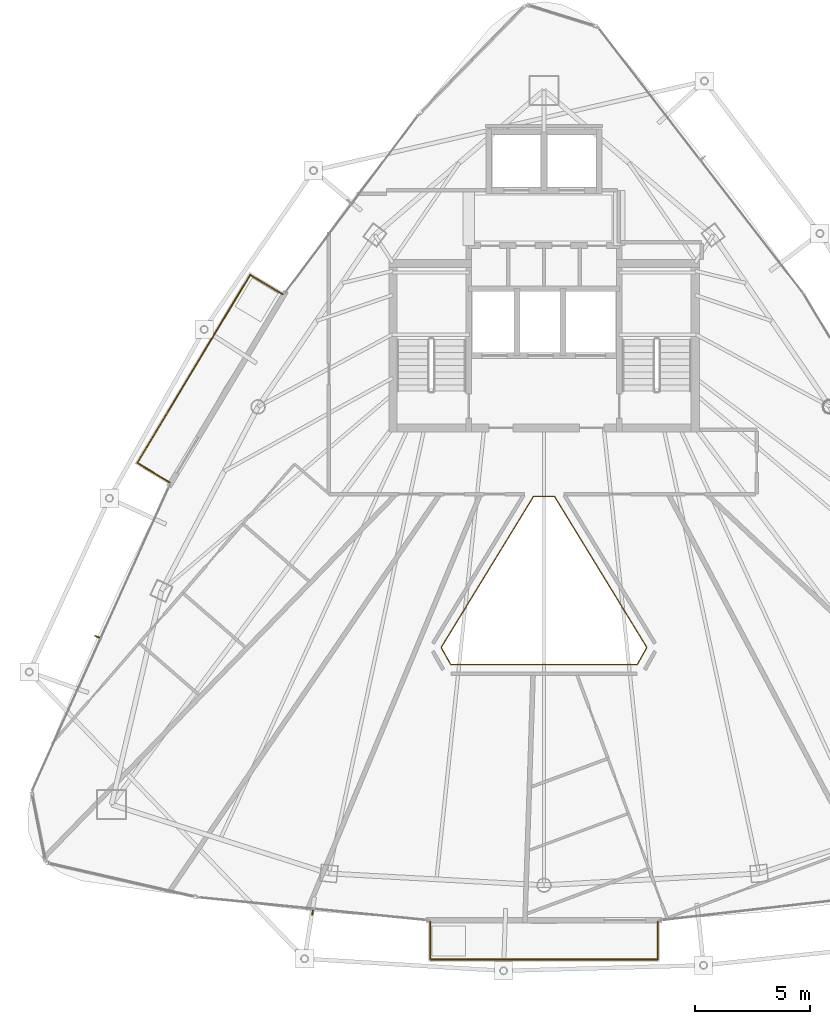
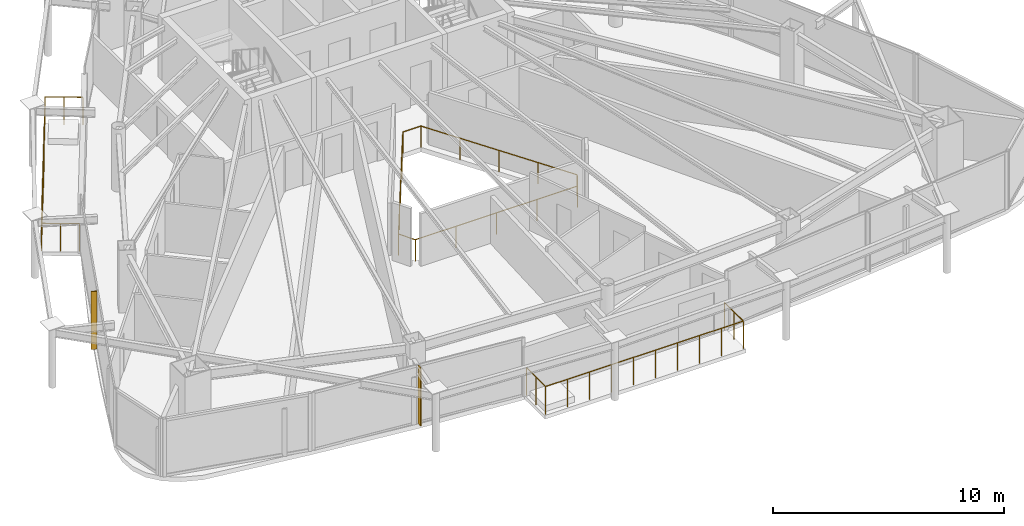
# One storey, part 28 of 29: 3 railings, 2 shading devices.
"""IFC4 building model written with IfcOpenShell, lengths in metres."""

from ifc_helpers import new_model, si_unit, direction, frame, origin, origin_2d, place, context, subcontext, project, spatial, rectangle, circle, extrude, material, layer, layer_set, type_object, element, save


model = new_model("IFC4")

# Units and contexts
model_context = context("Model", 3, precision=1e-05, world=origin(), true_north=direction((0.0, 1.0)))
body_context = subcontext(model_context, "Body", "Model", "MODEL_VIEW")
ifc_project = project(units=[si_unit("LENGTHUNIT", "METRE"), si_unit("AREAUNIT", "SQUARE_METRE"), si_unit("VOLUMEUNIT", "CUBIC_METRE"), si_unit("PLANEANGLEUNIT", "RADIAN"), si_unit("MASSUNIT", "GRAM", prefix="KILO")], contexts=[model_context])

# Site, building, storey
site_placement = place(None, origin())
site = spatial("IfcSite", under=ifc_project, at=site_placement, CompositionType="ELEMENT")
building_placement = place(site_placement, origin())
building = spatial("IfcBuilding", under=site, at=building_placement, Name="Orvanel Arch Residences", CompositionType="ELEMENT")
storey_placement = place(building_placement, frame((0.0, 0.0, 246.949951171875)))
storey = spatial("IfcBuildingStorey", under=building, at=storey_placement, Name="L70", CompositionType="ELEMENT", Elevation=246.949951171875)

# Shading devices
ifc_material = material(Name="Bronze-anodised aluminium AA6063-T6", Category="aluminium")
ifc_layer = layer(ifc_material, 0.050048828125)
ifc_layer_set = layer_set([ifc_layer], Name="Bronze-anodised aluminium AA6063-T6")
shading_device_type = type_object("IfcShadingDeviceType", Name="FIN-BRZ-260", PredefinedType="USERDEFINED", material=ifc_layer_set)
for number, where, z_axis, x_axis, name in (
    (1, (13.5869140625, 17.64208984375, 0.0), (0.0, 0.0, 1.0), (-0.912120116172, 0.409923033842, 0.0), "L70 Anodised Bronze Mullion FIN 01"),
    (2, (22.93994140625, 5.6640625, 0.0), (0.0, 0.0, 1.0), (-0.099319749744, -0.995055569961, 0.0), "L70 Anodised Bronze Mullion FIN 01"),
):
    element("IfcShadingDevice", number, at=place(storey_placement, frame(where, z_axis=z_axis, x_axis=x_axis)), inside=storey, type_object=shading_device_type, Name=name, ObjectType="FIN", PredefinedType="USERDEFINED", context=body_context, shape_type="SweptSolid", body=[
        extrude(rectangle(XDim=0.260009765625, YDim=0.050048828125, at=origin_2d()), origin(), (0.0, 0.0, 1.0), 3.06005859375),
    ])

# Railings
railing_type_1 = type_object("IfcRailingType", Name="RL-ATR-1150", PredefinedType="BALUSTRADE", material=ifc_material)
railing_1_placement = place(storey_placement, frame((33.452880859375, 23.7470703125, 0.0)))
element("IfcRailing", 3, at=railing_1_placement, inside=storey, type_object=railing_type_1, Name="L70 Atrium Void Protective Balustrade", PredefinedType="BALUSTRADE", context=body_context, shape_type="SweptSolid", body=[
    extrude(circle(Radius=0.02392578125, at=origin_2d()), frame((-0.00146484375, 0.0, 1.1259765625), z_axis=(-1.0, 0.0, 0.0), x_axis=(0.0, -1.0, 0.0)), (0.0, 0.0, 1.0), 0.90283203125),
    extrude(circle(Radius=0.02392578125, at=origin_2d()), frame((-0.906494140625, -0.001220703125, 1.1259765625), z_axis=(-0.521628329613, -0.853172834627, 0.0), x_axis=(0.853172834627, -0.521628329613, 0.0)), (0.0, 0.0, 1.0), 7.6943359375),
    extrude(circle(Radius=0.02392578125, at=origin_2d()), frame((-4.920166015625, -6.568359375, 1.1259765625), z_axis=(0.489565416471, -0.871966572178, 0.0), x_axis=(0.871966572178, 0.489565416471, 0.0)), (0.0, 0.0, 1.0), 0.8466796875),
    extrude(circle(Radius=0.02392578125, at=origin_2d()), frame((-4.50341796875, -7.30810546875, 1.1259765625), z_axis=(1.0, 0.0, 0.0), x_axis=(0.0, 1.0, 0.0)), (0.0, 0.0, 1.0), 8.10107421875),
    extrude(circle(Radius=0.02392578125, at=origin_2d()), frame((3.599853515625, -7.306884765625, 1.1259765625), z_axis=(0.489565416471, 0.871966572178, 0.0), x_axis=(-0.871966572178, 0.489565416471, 0.0)), (0.0, 0.0, 1.0), 0.8466796875),
    extrude(circle(Radius=0.02392578125, at=origin_2d()), frame((4.014404296875, -6.56591796875, 1.1259765625), z_axis=(-0.521628329613, 0.853172834627, 0.0), x_axis=(-0.853172834627, -0.521628329613, 0.0)), (0.0, 0.0, 1.0), 7.6943359375),
    extrude(circle(Radius=0.02099609375, at=origin_2d()), origin(), (0.0, 0.0, 1.0), 1.099853515625),
    extrude(circle(Radius=0.02099609375, at=origin_2d()), frame((-0.90576171875, 0.0, 0.0)), (0.0, 0.0, 1.0), 1.099853515625),
    extrude(circle(Radius=0.02099609375, at=origin_2d()), frame((-1.90966796875, -1.641845703125, 0.0)), (0.0, 0.0, 1.0), 1.099853515625),
    extrude(circle(Radius=0.02099609375, at=origin_2d()), frame((-2.913330078125, -3.28369140625, 0.0)), (0.0, 0.0, 1.0), 1.099853515625),
    extrude(circle(Radius=0.02099609375, at=origin_2d()), frame((-3.9169921875, -4.92529296875, 0.0)), (0.0, 0.0, 1.0), 1.099853515625),
    extrude(circle(Radius=0.02099609375, at=origin_2d()), frame((-4.9208984375, -6.567138671875, 0.0)), (0.0, 0.0, 1.0), 1.099853515625),
    extrude(circle(Radius=0.02099609375, at=origin_2d()), frame((-4.5048828125, -7.30810546875, 0.0)), (0.0, 0.0, 1.0), 1.099853515625),
    extrude(circle(Radius=0.02099609375, at=origin_2d()), frame((-2.47900390625, -7.30810546875, 0.0)), (0.0, 0.0, 1.0), 1.099853515625),
    extrude(circle(Radius=0.02099609375, at=origin_2d()), frame((-0.452880859375, -7.30810546875, 0.0)), (0.0, 0.0, 1.0), 1.099853515625),
    extrude(circle(Radius=0.02099609375, at=origin_2d()), frame((1.5732421875, -7.30810546875, 0.0)), (0.0, 0.0, 1.0), 1.099853515625),
    extrude(circle(Radius=0.02099609375, at=origin_2d()), frame((3.59912109375, -7.30810546875, 0.0)), (0.0, 0.0, 1.0), 1.099853515625),
    extrude(circle(Radius=0.02099609375, at=origin_2d()), frame((4.01513671875, -6.567138671875, 0.0)), (0.0, 0.0, 1.0), 1.099853515625),
    extrude(circle(Radius=0.02099609375, at=origin_2d()), frame((3.01123046875, -4.92529296875, 0.0)), (0.0, 0.0, 1.0), 1.099853515625),
    extrude(circle(Radius=0.02099609375, at=origin_2d()), frame((2.007568359375, -3.28369140625, 0.0)), (0.0, 0.0, 1.0), 1.099853515625),
    extrude(circle(Radius=0.02099609375, at=origin_2d()), frame((1.00390625, -1.641845703125, 0.0)), (0.0, 0.0, 1.0), 1.099853515625),
])
railing_type_2 = type_object("IfcRailingType", Name="RL-BAL-1480", PredefinedType="BALUSTRADE", material=ifc_material)
railing_2_placement = place(storey_placement, frame((21.632080078125, 32.5380859375, 0.0)))
element("IfcRailing", 4, at=railing_2_placement, inside=storey, type_object=railing_type_2, Name="L70 Balcony Perimeter Guardrail Face 1", PredefinedType="BALUSTRADE", context=body_context, shape_type="SweptSolid", body=[
    extrude(circle(Radius=0.02392578125, at=origin_2d()), frame((-0.001220703125, 0.000732421875, 1.4560546875), z_axis=(-0.857387817543, 0.514670895164, 0.0), x_axis=(-0.514670895164, -0.857387817543, 0.0)), (0.0, 0.0, 1.0), 1.636962890625),
    extrude(circle(Radius=0.02392578125, at=origin_2d()), frame((-1.40673828125, 0.8427734375, 1.4560546875), z_axis=(-0.514439305395, -0.857526793205, 0.0), x_axis=(0.857526793205, -0.514439305395, 0.0)), (0.0, 0.0, 1.0), 9.537353515625),
    extrude(circle(Radius=0.02392578125, at=origin_2d()), frame((-6.312744140625, -7.337890625, 1.4560546875), z_axis=(0.857545439568, -0.514408222208, 0.0), x_axis=(0.514408222208, 0.857545439568, 0.0)), (0.0, 0.0, 1.0), 1.6376953125),
    extrude(circle(Radius=0.02099609375, at=origin_2d()), origin(), (0.0, 0.0, 1.0), 1.429931640625),
    extrude(circle(Radius=0.02099609375, at=origin_2d()), frame((-0.703125, 0.421875, 0.0)), (0.0, 0.0, 1.0), 1.429931640625),
    extrude(circle(Radius=0.02099609375, at=origin_2d()), frame((-1.406005859375, 0.843994140625, 0.0)), (0.0, 0.0, 1.0), 1.429931640625),
    extrude(circle(Radius=0.02099609375, at=origin_2d()), frame((-2.01953125, -0.1787109375, 0.0)), (0.0, 0.0, 1.0), 1.429931640625),
    extrude(circle(Radius=0.02099609375, at=origin_2d()), frame((-2.633056640625, -1.201171875, 0.0)), (0.0, 0.0, 1.0), 1.429931640625),
    extrude(circle(Radius=0.02099609375, at=origin_2d()), frame((-3.24658203125, -2.223876953125, 0.0)), (0.0, 0.0, 1.0), 1.429931640625),
    extrude(circle(Radius=0.02099609375, at=origin_2d()), frame((-3.85986328125, -3.24658203125, 0.0)), (0.0, 0.0, 1.0), 1.429931640625),
    extrude(circle(Radius=0.02099609375, at=origin_2d()), frame((-4.473388671875, -4.269287109375, 0.0)), (0.0, 0.0, 1.0), 1.429931640625),
    extrude(circle(Radius=0.02099609375, at=origin_2d()), frame((-5.0869140625, -5.2919921875, 0.0)), (0.0, 0.0, 1.0), 1.429931640625),
    extrude(circle(Radius=0.02099609375, at=origin_2d()), frame((-5.700439453125, -6.314453125, 0.0)), (0.0, 0.0, 1.0), 1.429931640625),
    extrude(circle(Radius=0.02099609375, at=origin_2d()), frame((-6.31396484375, -7.337158203125, 0.0)), (0.0, 0.0, 1.0), 1.429931640625),
    extrude(circle(Radius=0.02099609375, at=origin_2d()), frame((-5.6103515625, -7.75927734375, 0.0)), (0.0, 0.0, 1.0), 1.429931640625),
    extrude(circle(Radius=0.02099609375, at=origin_2d()), frame((-4.906982421875, -8.18115234375, 0.0)), (0.0, 0.0, 1.0), 1.429931640625),
])
railing_3_placement = place(storey_placement, frame((28.05810546875, 5.256103515625, 0.0)))
element("IfcRailing", 5, at=railing_3_placement, inside=storey, type_object=railing_type_2, Name="L70 Balcony Perimeter Guardrail Face 2", PredefinedType="BALUSTRADE", context=body_context, shape_type="SweptSolid", body=[
    extrude(circle(Radius=0.02392578125, at=origin_2d()), frame((0.0, -0.00146484375, 1.4560546875), z_axis=(0.0, -1.0, 0.0), x_axis=(1.0, 0.0, 0.0)), (0.0, 0.0, 1.0), 1.63720703125),
    extrude(circle(Radius=0.02392578125, at=origin_2d()), frame((0.00146484375, -1.64013671875, 1.4560546875), z_axis=(1.0, 0.0, 0.0), x_axis=(0.0, 1.0, 0.0)), (0.0, 0.0, 1.0), 9.880859375),
    extrude(circle(Radius=0.02392578125, at=origin_2d()), frame((9.8837890625, -1.638671875, 1.4560546875), z_axis=(0.0, 1.0, 0.0), x_axis=(-1.0, 0.0, 0.0)), (0.0, 0.0, 1.0), 1.63720703125),
    extrude(circle(Radius=0.02099609375, at=origin_2d()), origin(), (0.0, 0.0, 1.0), 1.429931640625),
    extrude(circle(Radius=0.02099609375, at=origin_2d()), frame((0.0, -0.820068359375, 0.0)), (0.0, 0.0, 1.0), 1.429931640625),
    extrude(circle(Radius=0.02099609375, at=origin_2d()), frame((0.0, -1.64013671875, 0.0)), (0.0, 0.0, 1.0), 1.429931640625),
    extrude(circle(Radius=0.02099609375, at=origin_2d()), frame((1.09814453125, -1.64013671875, 0.0)), (0.0, 0.0, 1.0), 1.429931640625),
    extrude(circle(Radius=0.02099609375, at=origin_2d()), frame((2.1962890625, -1.64013671875, 0.0)), (0.0, 0.0, 1.0), 1.429931640625),
    extrude(circle(Radius=0.02099609375, at=origin_2d()), frame((3.294677734375, -1.64013671875, 0.0)), (0.0, 0.0, 1.0), 1.429931640625),
    extrude(circle(Radius=0.02099609375, at=origin_2d()), frame((4.392822265625, -1.64013671875, 0.0)), (0.0, 0.0, 1.0), 1.429931640625),
    extrude(circle(Radius=0.02099609375, at=origin_2d()), frame((5.490966796875, -1.64013671875, 0.0)), (0.0, 0.0, 1.0), 1.429931640625),
    extrude(circle(Radius=0.02099609375, at=origin_2d()), frame((6.589111328125, -1.64013671875, 0.0)), (0.0, 0.0, 1.0), 1.429931640625),
    extrude(circle(Radius=0.02099609375, at=origin_2d()), frame((7.6875, -1.64013671875, 0.0)), (0.0, 0.0, 1.0), 1.429931640625),
    extrude(circle(Radius=0.02099609375, at=origin_2d()), frame((8.78564453125, -1.64013671875, 0.0)), (0.0, 0.0, 1.0), 1.429931640625),
    extrude(circle(Radius=0.02099609375, at=origin_2d()), frame((9.8837890625, -1.64013671875, 0.0)), (0.0, 0.0, 1.0), 1.429931640625),
    extrude(circle(Radius=0.02099609375, at=origin_2d()), frame((9.8837890625, -0.820068359375, 0.0)), (0.0, 0.0, 1.0), 1.429931640625),
    extrude(circle(Radius=0.02099609375, at=origin_2d()), frame((9.8837890625, 0.0, 0.0)), (0.0, 0.0, 1.0), 1.429931640625),
])

save(model, "model.ifc")
